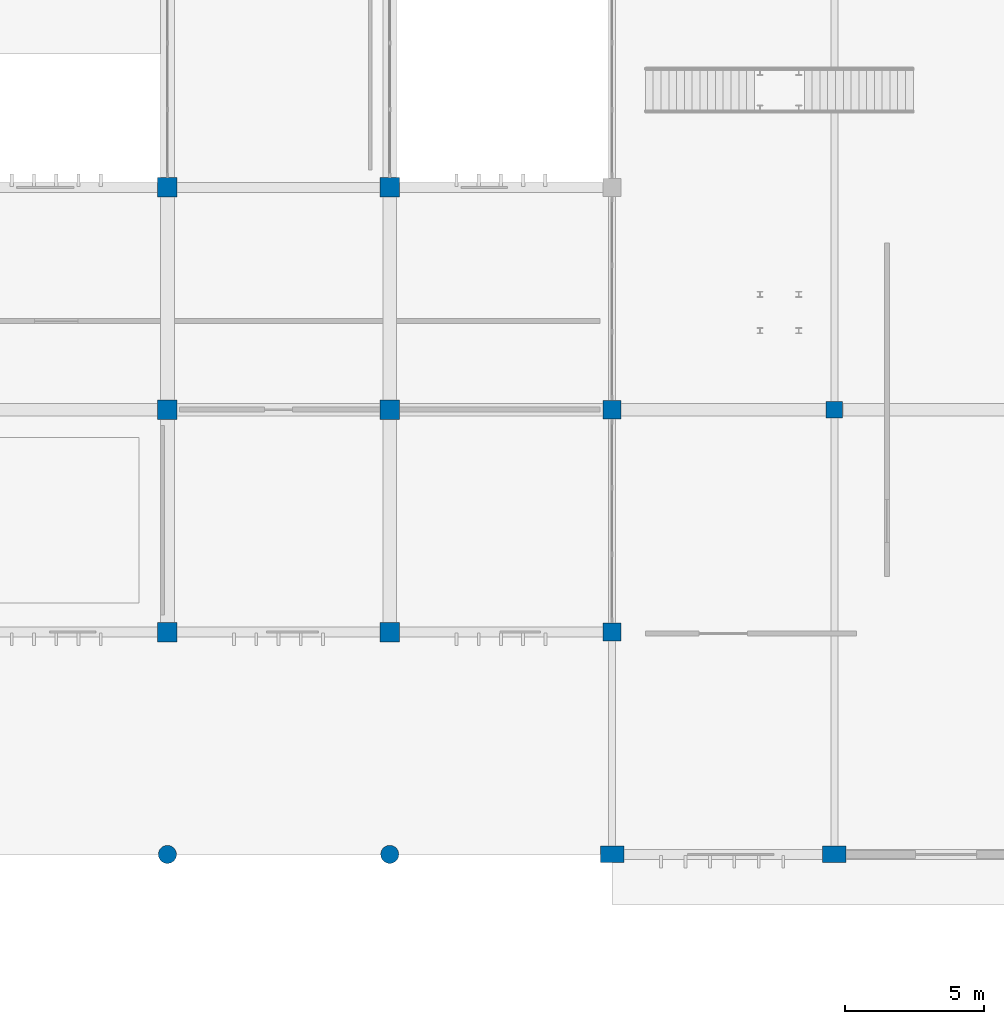
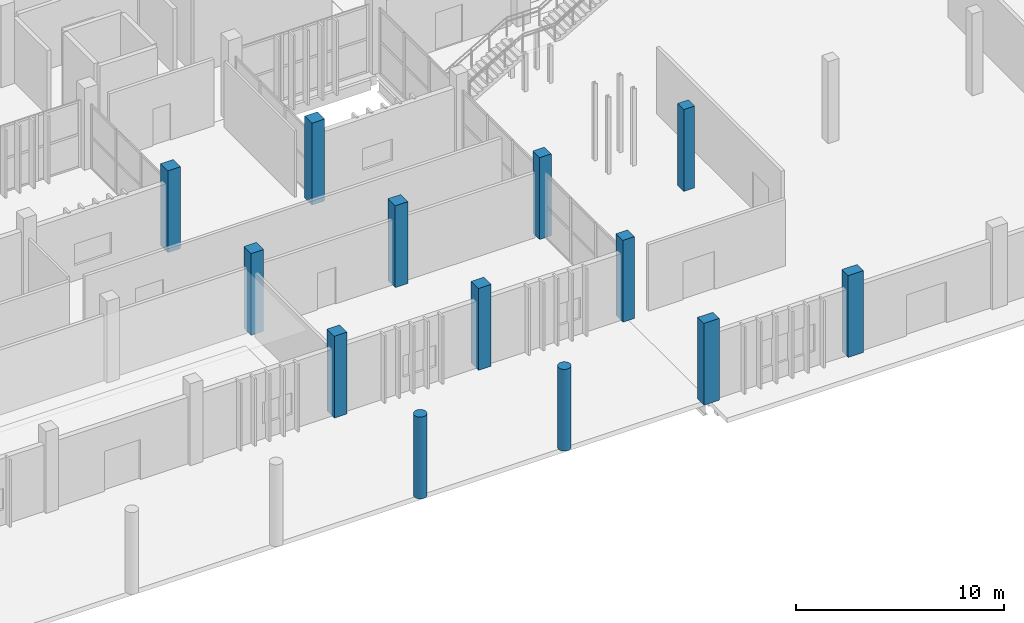
# One storey, part 13 of 117: 13 columns.
"""IFC4 building model written with IfcOpenShell, lengths in metres."""

from ifc_helpers import new_model, si_unit, direction, frame, origin, origin_2d, place, context, subcontext, project, spatial, rectangle, circle, extrude, material, material_profile, profile_set, type_object, element, save


model = new_model("IFC4")

# Units and contexts
model_context = context("Model", 3, precision=1e-05, world=origin(), true_north=direction((0.0, 1.0)))
body_context = subcontext(model_context, "Body", "Model", "MODEL_VIEW")
ifc_project = project(units=[si_unit("LENGTHUNIT", "METRE"), si_unit("AREAUNIT", "SQUARE_METRE"), si_unit("VOLUMEUNIT", "CUBIC_METRE"), si_unit("PLANEANGLEUNIT", "RADIAN"), si_unit("MASSUNIT", "GRAM", prefix="KILO")], contexts=[model_context])

# Site, building, storey
site_placement = place(None, origin())
site = spatial("IfcSite", under=ifc_project, at=site_placement, CompositionType="ELEMENT")
building_placement = place(site_placement, origin())
building = spatial("IfcBuilding", under=site, at=building_placement, Name="Jelvoka-Kovrelna Polytechnic", CompositionType="ELEMENT")
storey_placement = place(building_placement, origin())
storey = spatial("IfcBuildingStorey", under=building, at=storey_placement, Name="L01", CompositionType="ELEMENT", Elevation=0.0)

# Columns
ifc_material_1 = material(Name="Concrete C40/50", Category="concrete")
ifc_material_profile_1 = material_profile(ifc_material_1, circle(Radius=0.324951171875, at=origin_2d()), Name="RC D650")
ifc_profile_set_1 = profile_set([ifc_material_profile_1], Name="Concrete C40/50")
column_type_1 = type_object("IfcColumnType", Name="Col_Pilotis_D650", PredefinedType="PILASTER", material=ifc_profile_set_1)
for number, where, z_axis, x_axis, name in (
    (1, (144.0, 0.0, 0.0), (0.0, 0.0, 1.0), (1.0, 0.0, 0.0), "L01 column 0055"),
    (2, (152.0, 0.0, 0.0), (0.0, 0.0, 1.0), (1.0, 0.0, 0.0), "L01 column 0058"),
):
    element("IfcColumn", number, at=place(storey_placement, frame(where, z_axis=z_axis, x_axis=x_axis)), inside=storey, type_object=column_type_1, Name=name, PredefinedType="PILASTER", context=body_context, shape_type="SweptSolid", body=[
        extrude(circle(Radius=0.324951171875, at=origin_2d()), origin(), (0.0, 0.0, 1.0), 4.800048828125),
    ])
ifc_material_2 = material(Name="Concrete C40/50", Category="concrete")
ifc_material_profile_2 = material_profile(ifc_material_2, rectangle(XDim=0.60009765625, YDim=0.60009765625, at=origin_2d()), Name="RC 600x600")
ifc_profile_set_2 = profile_set([ifc_material_profile_2], Name="Concrete C40/50")
column_type_2 = type_object("IfcColumnType", Name="Col_RC_600", PredefinedType="COLUMN", material=ifc_profile_set_2)
column_placement = place(storey_placement, frame((168.0, 16.0, 0.0), z_axis=(0.0, 0.0, 1.0), x_axis=(1.0, 0.0, 0.0)))
element("IfcColumn", 3, at=column_placement, inside=storey, type_object=column_type_2, Name="L01 column 0276", PredefinedType="COLUMN", context=body_context, shape_type="SweptSolid", body=[
    extrude(rectangle(XDim=0.60009765625, YDim=0.60009765625, at=origin_2d()), origin(), (0.0, 0.0, 1.0), 4.800048828125),
])
ifc_material_3 = material(Name="Concrete C40/50", Category="concrete")
ifc_material_profile_3 = material_profile(ifc_material_3, rectangle(XDim=0.60009765625, YDim=0.85009765625, at=origin_2d()), Name="RC 600x850")
ifc_profile_set_3 = profile_set([ifc_material_profile_3], Name="Concrete C40/50")
column_type_3 = type_object("IfcColumnType", Name="Col_RC_600x850", PredefinedType="COLUMN", material=ifc_profile_set_3)
for number, where, z_axis, x_axis, name in (
    (4, (160.0, 0.0, 0.0), (0.0, 0.0, 1.0), (0.0, 1.0, 0.0), "L01 column 0061"),
    (5, (168.0, 0.0, 0.0), (0.0, 0.0, 1.0), (0.0, 1.0, 0.0), "L01 column 0065"),
):
    element("IfcColumn", number, at=place(storey_placement, frame(where, z_axis=z_axis, x_axis=x_axis)), inside=storey, type_object=column_type_3, Name=name, PredefinedType="COLUMN", context=body_context, shape_type="SweptSolid", body=[
        extrude(rectangle(XDim=0.60009765625, YDim=0.85009765625, at=origin_2d()), origin(), (0.0, 0.0, 1.0), 4.800048828125),
    ])
ifc_material_4 = material(Name="Concrete C40/50", Category="concrete")
ifc_material_profile_4 = material_profile(ifc_material_4, rectangle(XDim=0.64990234375, YDim=0.64990234375, at=origin_2d()), Name="RC 650x650")
ifc_profile_set_4 = profile_set([ifc_material_profile_4], Name="Concrete C40/50")
column_type_4 = type_object("IfcColumnType", Name="Col_RC_650", PredefinedType="COLUMN", material=ifc_profile_set_4)
for number, where, z_axis, x_axis, name in (
    (6, (160.0, 8.0, 0.0), (0.0, 0.0, 1.0), (1.0, 0.0, 0.0), "L01 column 0170"),
    (7, (160.0, 16.0, 0.0), (0.0, 0.0, 1.0), (1.0, 0.0, 0.0), "L01 column 0271"),
):
    element("IfcColumn", number, at=place(storey_placement, frame(where, z_axis=z_axis, x_axis=x_axis)), inside=storey, type_object=column_type_4, Name=name, PredefinedType="COLUMN", context=body_context, shape_type="SweptSolid", body=[
        extrude(rectangle(XDim=0.64990234375, YDim=0.64990234375, at=origin_2d()), origin(), (0.0, 0.0, 1.0), 4.800048828125),
    ])
ifc_material_5 = material(Name="Concrete C40/50", Category="concrete")
ifc_material_profile_5 = material_profile(ifc_material_5, rectangle(XDim=0.699951171875, YDim=0.699951171875, at=origin_2d()), Name="RC 700x700")
ifc_profile_set_5 = profile_set([ifc_material_profile_5], Name="Concrete C40/50")
column_type_5 = type_object("IfcColumnType", Name="Col_RC_700", PredefinedType="COLUMN", material=ifc_profile_set_5)
for number, where, z_axis, x_axis, name in (
    (8, (144.0, 8.0, 0.0), (0.0, 0.0, 1.0), (1.0, 0.0, 0.0), "L01 column 0158"),
    (9, (152.0, 8.0, 0.0), (0.0, 0.0, 1.0), (1.0, 0.0, 0.0), "L01 column 0164"),
    (10, (144.0, 16.0, 0.0), (0.0, 0.0, 1.0), (1.0, 0.0, 0.0), "L01 column 0259"),
    (11, (152.0, 16.0, 0.0), (0.0, 0.0, 1.0), (1.0, 0.0, 0.0), "L01 column 0265"),
    (12, (144.0, 24.0, 0.0), (0.0, 0.0, 1.0), (1.0, 0.0, 0.0), "L01 column 0384"),
    (13, (152.0, 24.0, 0.0), (0.0, 0.0, 1.0), (1.0, 0.0, 0.0), "L01 column 0390"),
):
    element("IfcColumn", number, at=place(storey_placement, frame(where, z_axis=z_axis, x_axis=x_axis)), inside=storey, type_object=column_type_5, Name=name, PredefinedType="COLUMN", context=body_context, shape_type="SweptSolid", body=[
        extrude(rectangle(XDim=0.699951171875, YDim=0.699951171875, at=origin_2d()), origin(), (0.0, 0.0, 1.0), 4.800048828125),
    ])

save(model, "model.ifc")
